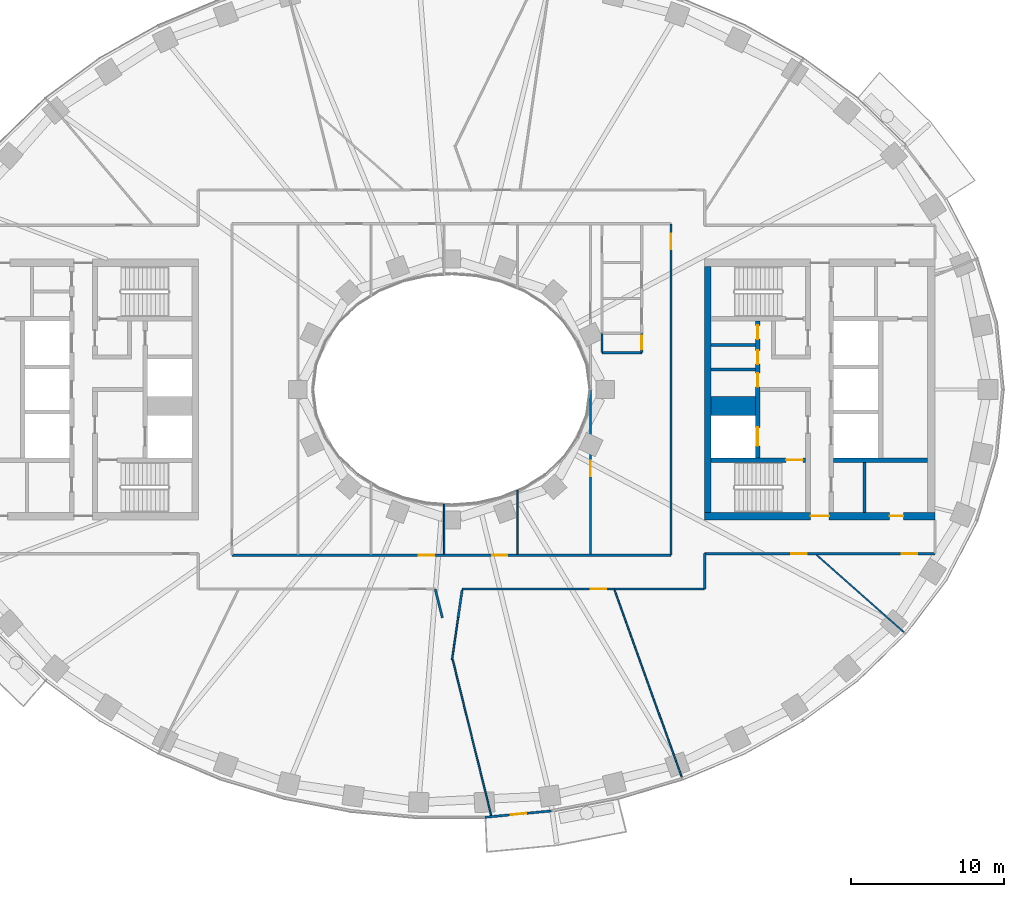
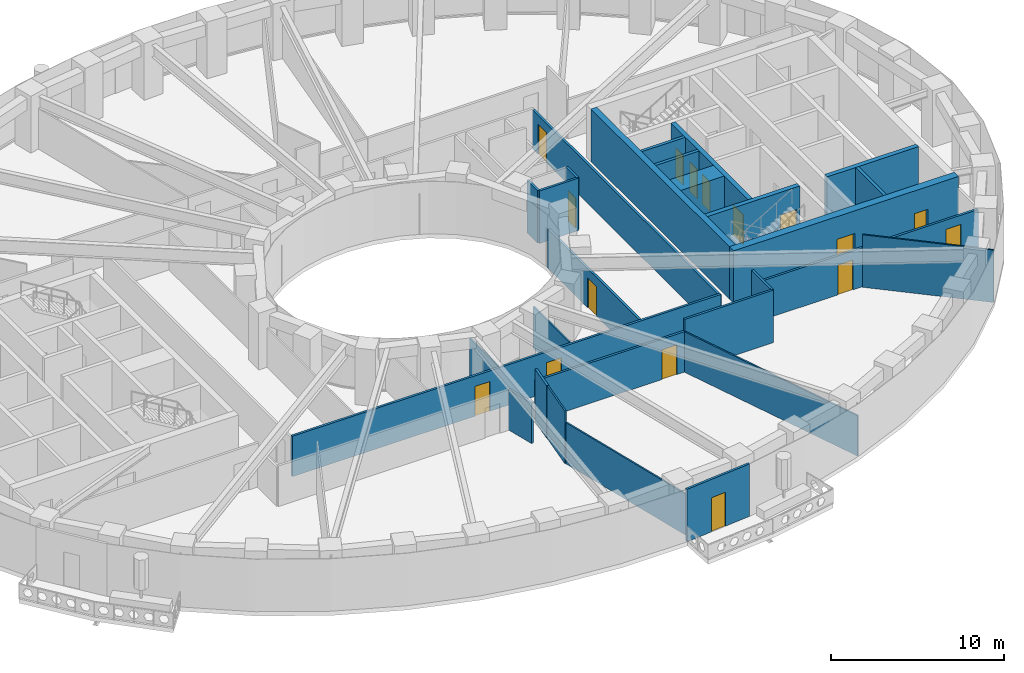
# One storey, part 4 of 16: 28 walls, 16 doors, 16 openings.
"""IFC4 building model written with IfcOpenShell, lengths in metres."""

from ifc_helpers import new_model, si_unit, direction, frame, frame_2d, origin, place, context, subcontext, project, spatial, rectangle, extrude, material, layer, layer_set, type_object, element, fill, save


model = new_model("IFC4")

# Units and contexts
model_context = context("Model", 3, precision=1e-05, world=origin(), true_north=direction((0.0, 1.0)))
body_context = subcontext(model_context, "Body", "Model", "MODEL_VIEW")
ifc_project = project(units=[si_unit("LENGTHUNIT", "METRE"), si_unit("AREAUNIT", "SQUARE_METRE"), si_unit("VOLUMEUNIT", "CUBIC_METRE"), si_unit("PLANEANGLEUNIT", "RADIAN"), si_unit("MASSUNIT", "GRAM", prefix="KILO")], contexts=[model_context])

# Site, building, storey
site_placement = place(None, origin())
site = spatial("IfcSite", under=ifc_project, at=site_placement, CompositionType="ELEMENT")
building_placement = place(site_placement, origin())
building = spatial("IfcBuilding", under=site, at=building_placement, Name="Noorbagh Ring Tower", CompositionType="ELEMENT")
storey_placement = place(building_placement, frame((0.0, 0.0, 108.0)))
storey = spatial("IfcBuildingStorey", under=building, at=storey_placement, Name="L24", CompositionType="ELEMENT", Elevation=108.0)

# Walls
ifc_material_1 = material(Name="Gypsum board on steel studs", Category="steel")
ifc_layer_1 = layer(ifc_material_1, 0.14990234375)
ifc_layer_set_1 = layer_set([ifc_layer_1], Name="Gypsum board on steel studs")
wall_type_1 = type_object("IfcWallType", Name="COMPARTMENT PARTITION 150 EI 60", PredefinedType="PARTITIONING", material=ifc_layer_set_1)
wall_1_placement = place(storey_placement, frame((9.800048828125, 2.404052734375, 0.0), z_axis=(0.0, 0.0, 1.0), x_axis=(0.0, 1.0, 0.0)))
element("IfcWall", 1, at=wall_1_placement, inside=storey, type_object=wall_type_1, Name="L24/wall/P39", PredefinedType="PARTITIONING", context=body_context, shape_type="SweptSolid", body=[
    extrude(rectangle(XDim=1.255859375, YDim=0.14990234375, at=frame_2d((0.6279296875, 0.0))), origin(), (0.0, 0.0, 1.0), 3.699951171875),
])
wall_2_placement = place(storey_placement, frame((9.803955078125, 2.39990234375, 0.0), z_axis=(0.0, 0.0, 1.0), x_axis=(1.0, 0.0, 0.0)))
element("IfcWall", 2, at=wall_2_placement, inside=storey, type_object=wall_type_1, Name="L24/wall/P44", PredefinedType="PARTITIONING", context=body_context, shape_type="SweptSolid", body=[
    extrude(rectangle(XDim=2.595947265625, YDim=0.14990234375, at=frame_2d((1.2978515625, 0.0))), origin(), (0.0, 0.0, 1.0), 3.699951171875),
])

# Wall, opening, door
wall_3_placement = place(storey_placement, frame((12.39990234375, 2.39990234375, 0.0), z_axis=(0.0, 0.0, 1.0), x_axis=(0.0, 1.0, 0.0)))
wall_3 = element("IfcWall", 3, at=wall_3_placement, inside=storey, type_object=wall_type_1, Name="L24/wall/P47", PredefinedType="PARTITIONING", context=body_context, shape_type="SweptSolid", body=[
    extrude(rectangle(XDim=1.260009765625, YDim=0.14990234375, at=frame_2d((0.6298828125, 0.0))), origin(), (0.0, 0.0, 1.0), 3.699951171875),
])
opening_1_placement = place(wall_3_placement, frame((0.2099609375, 0.0, 0.0)))
opening_1 = element("IfcOpeningElement", 4, at=opening_1_placement, cuts=wall_3, Name="Opening D4", PredefinedType="OPENING", context=body_context, shape_type="SweptSolid", body=[
    extrude(rectangle(XDim=0.89990234375, YDim=2.10009765625, at=frame_2d((0.449951171875, 1.050048828125))), frame((0.0, 0.0849609375, 0.0), z_axis=(0.0, -1.0, 0.0), x_axis=(1.0, 0.0, 0.0)), (0.0, 0.0, 1.0), 0.169921875),
])
ifc_material_2 = material(Name="Timber, painted", Category="wood")
door_type_1 = type_object("IfcDoorType", Name="DOOR 900 X 2100 FD60", OperationType="SINGLE_SWING_LEFT", PredefinedType="DOOR", material=ifc_material_2)
door_1_placement = place(opening_1_placement, origin())
door_1 = element("IfcDoor", 5, at=door_1_placement, inside=storey, type_object=door_type_1, Name="L24-D05", OperationType="SINGLE_SWING_LEFT", OverallHeight=2.10009765625, OverallWidth=0.89990234375, PredefinedType="DOOR", context=body_context, shape_type="SweptSolid", body=[
    extrude(rectangle(XDim=0.89990234375, YDim=2.10009765625, at=frame_2d((0.449951171875, 1.050048828125))), frame((0.0, 0.02490234375, 0.0), z_axis=(0.0, -1.0, 0.0), x_axis=(1.0, 0.0, 0.0)), (0.0, 0.0, 1.0), 0.050048828125),
])
fill(opening_1, door_1)

# Walls
ifc_material_3 = material(Name="Gypsum board on steel studs", Category="steel")
ifc_layer_2 = layer(ifc_material_3, 0.199951171875)
ifc_layer_set_2 = layer_set([ifc_layer_2], Name="Gypsum board on steel studs")
wall_type_2 = type_object("IfcWallType", Name="CORE-PARTITION-200", PredefinedType="PARTITIONING", material=ifc_layer_set_2)
for number, where, z_axis, x_axis, name in (
    (6, (16.89990234375, 1.300048828125, 0.0), (0.0, 0.0, 1.0), (1.0, 0.0, 0.0), "Core partition E"),
    (7, (16.89990234375, 2.89990234375, 0.0), (0.0, 0.0, 1.0), (1.0, 0.0, 0.0), "Core partition E"),
):
    element("IfcWall", number, at=place(storey_placement, frame(where, z_axis=z_axis, x_axis=x_axis)), inside=storey, type_object=wall_type_2, Name=name, PredefinedType="PARTITIONING", context=body_context, shape_type="SweptSolid", body=[
        extrude(rectangle(XDim=2.900146484375, YDim=0.199951171875, at=frame_2d((1.4501953125, 0.0))), origin(), (0.0, 0.0, 1.0), 3.699951171875),
    ])
wall_4_placement = place(storey_placement, frame((26.89990234375, -8.0, 0.0), z_axis=(0.0, 0.0, 1.0), x_axis=(0.0, 1.0, 0.0)))
element("IfcWall", 8, at=wall_4_placement, inside=storey, type_object=wall_type_2, Name="Core partition E", PredefinedType="PARTITIONING", context=body_context, shape_type="SweptSolid", body=[
    extrude(rectangle(XDim=3.25, YDim=0.199951171875, at=frame_2d((1.625, 0.0))), origin(), (0.0, 0.0, 1.0), 3.699951171875),
])
ifc_material_4 = material(Name="Concrete C70/85", Category="concrete")
ifc_layer_3 = layer(ifc_material_4, 1.25)
ifc_layer_set_3 = layer_set([ifc_layer_3], Name="Concrete C70/85")
wall_type_3 = type_object("IfcWallType", Name="CORE-WALL-1250-C70-85-EI120", PredefinedType="SHEAR", material=ifc_layer_set_3)
wall_5_placement = place(storey_placement, frame((16.89990234375, -1.074951171875, 0.0), z_axis=(0.0, 0.0, 1.0), x_axis=(1.0, 0.0, 0.0)))
element("IfcWall", 9, at=wall_5_placement, inside=storey, type_object=wall_type_3, Name="Core wall E", PredefinedType="SHEAR", context=body_context, shape_type="SweptSolid", body=[
    extrude(rectangle(XDim=2.900146484375, YDim=1.25, at=frame_2d((1.4501953125, 0.0))), origin(), (0.0, 0.0, 1.0), 3.699951171875),
])

# Wall, openings, doors
ifc_material_5 = material(Name="Concrete C70/85", Category="concrete")
ifc_layer_4 = layer(ifc_material_5, 0.300048828125)
ifc_layer_set_4 = layer_set([ifc_layer_4], Name="Concrete C70/85")
wall_type_4 = type_object("IfcWallType", Name="CORE-WALL-300-C70-85-EI120", PredefinedType="SHEAR", material=ifc_layer_set_4)
wall_6_placement = place(storey_placement, frame((19.949951171875, -4.449951171875, 0.0), z_axis=(0.0, 0.0, 1.0), x_axis=(0.0, 1.0, 0.0)))
wall_6 = element("IfcWall", 10, at=wall_6_placement, inside=storey, type_object=wall_type_4, Name="Core wall E", PredefinedType="SHEAR", context=body_context, shape_type="SweptSolid", body=[
    extrude(rectangle(XDim=8.89990234375, YDim=0.300048828125, at=frame_2d((4.449951171875, 0.0))), origin(), (0.0, 0.0, 1.0), 3.699951171875),
])
opening_2_placement = place(wall_6_placement, frame((0.77490234375, 0.0, 0.0)))
opening_2 = element("IfcOpeningElement", 11, at=opening_2_placement, cuts=wall_6, Name="Opening L24-CE01", PredefinedType="OPENING", context=body_context, shape_type="SweptSolid", body=[
    extrude(rectangle(XDim=1.199951171875, YDim=2.10009765625, at=frame_2d((0.60009765625, 1.050048828125))), frame((0.0, 0.16015625, 0.0), z_axis=(0.0, -1.0, 0.0), x_axis=(1.0, 0.0, 0.0)), (0.0, 0.0, 1.0), 0.320068359375),
])
opening_3_placement = place(wall_6_placement, frame((4.6201171875, 0.0, 0.0)))
opening_3 = element("IfcOpeningElement", 12, at=opening_3_placement, cuts=wall_6, Name="Opening L24-CE11", PredefinedType="OPENING", context=body_context, shape_type="SweptSolid", body=[
    extrude(rectangle(XDim=0.89990234375, YDim=2.10009765625, at=frame_2d((0.449951171875, 1.050048828125))), frame((0.0, 0.16015625, 0.0), z_axis=(0.0, -1.0, 0.0), x_axis=(1.0, 0.0, 0.0)), (0.0, 0.0, 1.0), 0.320068359375),
])
opening_4_placement = place(wall_6_placement, frame((6.10009765625, 0.0, 0.0)))
opening_4 = element("IfcOpeningElement", 13, at=opening_4_placement, cuts=wall_6, Name="Opening L24-CE12", PredefinedType="OPENING", context=body_context, shape_type="SweptSolid", body=[
    extrude(rectangle(XDim=0.89990234375, YDim=2.10009765625, at=frame_2d((0.449951171875, 1.050048828125))), frame((0.0, 0.16015625, 0.0), z_axis=(0.0, -1.0, 0.0), x_axis=(1.0, 0.0, 0.0)), (0.0, 0.0, 1.0), 0.320068359375),
])
opening_5_placement = place(wall_6_placement, frame((7.72509765625, 0.0, 0.0)))
opening_5 = element("IfcOpeningElement", 14, at=opening_5_placement, cuts=wall_6, Name="Opening L24-CE13", PredefinedType="OPENING", context=body_context, shape_type="SweptSolid", body=[
    extrude(rectangle(XDim=0.89990234375, YDim=2.10009765625, at=frame_2d((0.449951171875, 1.050048828125))), frame((0.0, 0.16015625, 0.0), z_axis=(0.0, -1.0, 0.0), x_axis=(1.0, 0.0, 0.0)), (0.0, 0.0, 1.0), 0.320068359375),
])
ifc_material_6 = material(Name="Steel door leaf", Category="steel")
door_type_2 = type_object("IfcDoorType", Name="CORE-DOOR-DROOM", OperationType="SINGLE_SWING_LEFT", PredefinedType="DOOR", material=ifc_material_6)
door_2_placement = place(opening_3_placement, origin())
door_2 = element("IfcDoor", 15, at=door_2_placement, inside=storey, type_object=door_type_2, Name="Core room door L24-CE11", OperationType="SINGLE_SWING_LEFT", OverallHeight=2.10009765625, OverallWidth=0.89990234375, PredefinedType="DOOR", context=body_context, shape_type="SweptSolid", body=[
    extrude(rectangle(XDim=0.89990234375, YDim=2.10009765625, at=frame_2d((0.449951171875, 1.050048828125))), frame((0.0, 0.02490234375, 0.0), z_axis=(0.0, -1.0, 0.0), x_axis=(1.0, 0.0, 0.0)), (0.0, 0.0, 1.0), 0.050048828125),
])
fill(opening_3, door_2)
door_3_placement = place(opening_4_placement, origin())
door_3 = element("IfcDoor", 16, at=door_3_placement, inside=storey, type_object=door_type_2, Name="Core room door L24-CE12", OperationType="SINGLE_SWING_RIGHT", OverallHeight=2.10009765625, OverallWidth=0.89990234375, PredefinedType="DOOR", context=body_context, shape_type="SweptSolid", body=[
    extrude(rectangle(XDim=0.89990234375, YDim=2.10009765625, at=frame_2d((0.449951171875, 1.050048828125))), frame((0.0, 0.02490234375, 0.0), z_axis=(0.0, -1.0, 0.0), x_axis=(1.0, 0.0, 0.0)), (0.0, 0.0, 1.0), 0.050048828125),
])
fill(opening_4, door_3)
door_4_placement = place(opening_5_placement, origin())
door_4 = element("IfcDoor", 17, at=door_4_placement, inside=storey, type_object=door_type_2, Name="Core room door L24-CE13", OperationType="SINGLE_SWING_RIGHT", OverallHeight=2.10009765625, OverallWidth=0.89990234375, PredefinedType="DOOR", context=body_context, shape_type="SweptSolid", body=[
    extrude(rectangle(XDim=0.89990234375, YDim=2.10009765625, at=frame_2d((0.449951171875, 1.050048828125))), frame((0.0, 0.02490234375, 0.0), z_axis=(0.0, -1.0, 0.0), x_axis=(1.0, 0.0, 0.0)), (0.0, 0.0, 1.0), 0.050048828125),
])
fill(opening_5, door_4)
ifc_material_7 = material(Name="Steel door leaf", Category="steel")
door_type_3 = type_object("IfcDoorType", Name="CORE-DOOR-LDW", OperationType="DOUBLE_DOOR_SLIDING", PredefinedType="DOOR", material=ifc_material_7)
door_5_placement = place(opening_2_placement, origin())
door_5 = element("IfcDoor", 18, at=door_5_placement, inside=storey, type_object=door_type_3, Name="Landing door FF2 L24-CE01", OperationType="DOUBLE_DOOR_SLIDING", OverallHeight=2.10009765625, OverallWidth=1.199951171875, PredefinedType="DOOR", context=body_context, shape_type="SweptSolid", body=[
    extrude(rectangle(XDim=1.199951171875, YDim=2.10009765625, at=frame_2d((0.60009765625, 1.050048828125))), frame((0.0, 0.02490234375, 0.0), z_axis=(0.0, -1.0, 0.0), x_axis=(1.0, 0.0, 0.0)), (0.0, 0.0, 1.0), 0.050048828125),
])
fill(opening_2, door_5)

# Wall
ifc_material_8 = material(Name="Concrete C70/85", Category="concrete")
ifc_layer_5 = layer(ifc_material_8, 0.300048828125)
ifc_layer_set_5 = layer_set([ifc_layer_5], Name="Concrete C70/85")
wall_type_5 = type_object("IfcWallType", Name="CORE-WALL-300-C70-85-EI240", PredefinedType="SHEAR", material=ifc_layer_set_5)
wall_7_placement = place(storey_placement, frame((24.89990234375, -4.60009765625, 0.0), z_axis=(0.0, 0.0, 1.0), x_axis=(1.0, 0.0, 0.0)))
element("IfcWall", 19, at=wall_7_placement, inside=storey, type_object=wall_type_5, Name="Core wall E", PredefinedType="SHEAR", context=body_context, shape_type="SweptSolid", body=[
    extrude(rectangle(XDim=6.10009765625, YDim=0.300048828125, at=frame_2d((3.050048828125, 0.0))), origin(), (0.0, 0.0, 1.0), 3.699951171875),
])

# Wall, opening, door
wall_8_placement = place(storey_placement, frame((16.89990234375, -4.60009765625, 0.0), z_axis=(0.0, 0.0, 1.0), x_axis=(1.0, 0.0, 0.0)))
wall_8 = element("IfcWall", 20, at=wall_8_placement, inside=storey, type_object=wall_type_5, Name="Core wall E", PredefinedType="SHEAR", context=body_context, shape_type="SweptSolid", body=[
    extrude(rectangle(XDim=6.18017578125, YDim=0.300048828125, at=frame_2d((3.090087890625, 0.0))), origin(), (0.0, 0.0, 1.0), 3.699951171875),
])
opening_6_placement = place(wall_8_placement, frame((4.89990234375, 0.0, 0.0)))
opening_6 = element("IfcOpeningElement", 21, at=opening_6_placement, cuts=wall_8, Name="Opening L24-CE06", PredefinedType="OPENING", context=body_context, shape_type="SweptSolid", body=[
    extrude(rectangle(XDim=1.10009765625, YDim=2.10009765625, at=frame_2d((0.550048828125, 1.050048828125))), frame((0.0, 0.16015625, 0.0), z_axis=(0.0, -1.0, 0.0), x_axis=(1.0, 0.0, 0.0)), (0.0, 0.0, 1.0), 0.320068359375),
])
ifc_material_9 = material(Name="Steel door leaf", Category="steel")
door_type_4 = type_object("IfcDoorType", Name="CORE-DOOR-DSTAIR", OperationType="SINGLE_SWING_LEFT", PredefinedType="DOOR", material=ifc_material_9)
door_6_placement = place(opening_6_placement, origin())
door_6 = element("IfcDoor", 22, at=door_6_placement, inside=storey, type_object=door_type_4, Name="Stair door ST4 L24-CE06", OperationType="SINGLE_SWING_RIGHT", OverallHeight=2.10009765625, OverallWidth=1.10009765625, PredefinedType="DOOR", context=body_context, shape_type="SweptSolid", body=[
    extrude(rectangle(XDim=1.10009765625, YDim=2.10009765625, at=frame_2d((0.550048828125, 1.050048828125))), frame((0.0, 0.02490234375, 0.0), z_axis=(0.0, -1.0, 0.0), x_axis=(1.0, 0.0, 0.0)), (0.0, 0.0, 1.0), 0.050048828125),
])
fill(opening_6, door_6)

# Wall
ifc_material_10 = material(Name="Concrete C70/85", Category="concrete")
ifc_layer_6 = layer(ifc_material_10, 0.39990234375)
ifc_layer_set_6 = layer_set([ifc_layer_6], Name="Concrete C70/85")
wall_type_6 = type_object("IfcWallType", Name="CORE-WALL-400-C70-85-EI240", PredefinedType="SHEAR", material=ifc_layer_set_6)
wall_9_placement = place(storey_placement, frame((16.699951171875, -8.0, 0.0), z_axis=(0.0, 0.0, 1.0), x_axis=(0.0, 1.0, 0.0)))
element("IfcWall", 23, at=wall_9_placement, inside=storey, type_object=wall_type_6, Name="Core wall E", PredefinedType="SHEAR", context=body_context, shape_type="SweptSolid", body=[
    extrude(rectangle(XDim=16.0, YDim=0.39990234375, at=frame_2d((8.0, 0.0))), origin(), (0.0, 0.0, 1.0), 3.699951171875),
])

# Wall, openings, doors
ifc_material_11 = material(Name="Concrete C70/85", Category="concrete")
ifc_layer_7 = layer(ifc_material_11, 0.5)
ifc_layer_set_7 = layer_set([ifc_layer_7], Name="Concrete C70/85")
wall_type_7 = type_object("IfcWallType", Name="CORE-WALL-500-C70-85-EI240", PredefinedType="SHEAR", material=ifc_layer_set_7)
wall_10_placement = place(storey_placement, frame((16.5, -8.25, 0.0), z_axis=(0.0, 0.0, 1.0), x_axis=(1.0, 0.0, 0.0)))
wall_10 = element("IfcWall", 24, at=wall_10_placement, inside=storey, type_object=wall_type_7, Name="Core wall E", PredefinedType="SHEAR", context=body_context, shape_type="SweptSolid", body=[
    extrude(rectangle(XDim=15.0, YDim=0.5, at=frame_2d((7.5, 0.0))), origin(), (0.0, 0.0, 1.0), 3.699951171875),
])
opening_7_placement = place(wall_10_placement, frame((6.89990234375, 0.0, 0.0)))
opening_7 = element("IfcOpeningElement", 25, at=opening_7_placement, cuts=wall_10, Name="Opening L24-CE10", PredefinedType="OPENING", context=body_context, shape_type="SweptSolid", body=[
    extrude(rectangle(XDim=1.199951171875, YDim=2.10009765625, at=frame_2d((0.60009765625, 1.050048828125))), frame((0.0, 0.260009765625, 0.0), z_axis=(0.0, -1.0, 0.0), x_axis=(1.0, 0.0, 0.0)), (0.0, 0.0, 1.0), 0.52001953125),
])
opening_8_placement = place(wall_10_placement, frame((12.050048828125, 0.0, 0.0)))
opening_8 = element("IfcOpeningElement", 26, at=opening_8_placement, cuts=wall_10, Name="Opening L24-CE17", PredefinedType="OPENING", context=body_context, shape_type="SweptSolid", body=[
    extrude(rectangle(XDim=0.89990234375, YDim=2.10009765625, at=frame_2d((0.449951171875, 1.050048828125))), frame((0.0, 0.260009765625, 0.0), z_axis=(0.0, -1.0, 0.0), x_axis=(1.0, 0.0, 0.0)), (0.0, 0.0, 1.0), 0.52001953125),
])
door_7_placement = place(opening_8_placement, origin())
door_7 = element("IfcDoor", 27, at=door_7_placement, inside=storey, type_object=door_type_2, Name="Core room door L24-CE17", OperationType="SINGLE_SWING_RIGHT", OverallHeight=2.10009765625, OverallWidth=0.89990234375, PredefinedType="DOOR", context=body_context, shape_type="SweptSolid", body=[
    extrude(rectangle(XDim=0.89990234375, YDim=2.10009765625, at=frame_2d((0.449951171875, 1.050048828125))), frame((0.0, 0.02490234375, 0.0), z_axis=(0.0, -1.0, 0.0), x_axis=(1.0, 0.0, 0.0)), (0.0, 0.0, 1.0), 0.050048828125),
])
fill(opening_8, door_7)
ifc_material_12 = material(Name="Steel door leaf", Category="steel")
door_type_5 = type_object("IfcDoorType", Name="CORE-DOOR-PORT", OperationType="DOUBLE_DOOR_DOUBLE_SWING", PredefinedType="DOOR", material=ifc_material_12)
door_8_placement = place(opening_7_placement, origin())
door_8 = element("IfcDoor", 28, at=door_8_placement, inside=storey, type_object=door_type_5, Name="Core entrance door L24-CE10", OperationType="DOUBLE_DOOR_DOUBLE_SWING", OverallHeight=2.10009765625, OverallWidth=1.199951171875, PredefinedType="DOOR", context=body_context, shape_type="SweptSolid", body=[
    extrude(rectangle(XDim=1.199951171875, YDim=2.10009765625, at=frame_2d((0.60009765625, 1.050048828125))), frame((0.0, 0.02490234375, 0.0), z_axis=(0.0, -1.0, 0.0), x_axis=(1.0, 0.0, 0.0)), (0.0, 0.0, 1.0), 0.050048828125),
])
fill(opening_7, door_8)

ifc_material_13 = material(Name="Gypsum board on steel studs", Category="steel")
ifc_layer_8 = layer(ifc_material_13, 0.14990234375)
ifc_layer_set_8 = layer_set([ifc_layer_8], Name="Gypsum board on steel studs")
wall_type_8 = type_object("IfcWallType", Name="CORRIDOR PARTITION 150 EI 30", PredefinedType="PARTITIONING", material=ifc_layer_set_8)
wall_11_placement = place(storey_placement, frame((-14.300048828125, -10.800048828125, 0.0), z_axis=(0.0, 0.0, 1.0), x_axis=(1.0, 0.0, 0.0)))
wall_11 = element("IfcWall", 29, at=wall_11_placement, inside=storey, type_object=wall_type_8, Name="L24/wall/P14", PredefinedType="PARTITIONING", context=body_context, shape_type="SweptSolid", body=[
    extrude(rectangle(XDim=28.60009765625, YDim=0.14990234375, at=frame_2d((14.300048828125, 0.0))), origin(), (0.0, 0.0, 1.0), 2.85009765625),
])
opening_9_placement = place(wall_11_placement, frame((12.173095703125, 0.0, 0.0)))
opening_9 = element("IfcOpeningElement", 30, at=opening_9_placement, cuts=wall_11, Name="Opening D1", PredefinedType="OPENING", context=body_context, shape_type="SweptSolid", body=[
    extrude(rectangle(XDim=1.0, YDim=2.10009765625, at=frame_2d((0.5, 1.050048828125))), frame((0.0, 0.0849609375, 0.0), z_axis=(0.0, -1.0, 0.0), x_axis=(1.0, 0.0, 0.0)), (0.0, 0.0, 1.0), 0.169921875),
])
opening_10_placement = place(wall_11_placement, frame((16.93994140625, 0.0, 0.0)))
opening_10 = element("IfcOpeningElement", 31, at=opening_10_placement, cuts=wall_11, Name="Opening D1", PredefinedType="OPENING", context=body_context, shape_type="SweptSolid", body=[
    extrude(rectangle(XDim=1.0, YDim=2.10009765625, at=frame_2d((0.5, 1.050048828125))), frame((0.0, 0.0849609375, 0.0), z_axis=(0.0, -1.0, 0.0), x_axis=(1.0, 0.0, 0.0)), (0.0, 0.0, 1.0), 0.169921875),
])
ifc_material_14 = material(Name="Timber, painted", Category="wood")
door_type_6 = type_object("IfcDoorType", Name="DOOR 1000 X 2100 FD30", OperationType="SINGLE_SWING_LEFT", PredefinedType="DOOR", material=ifc_material_14)
door_9_placement = place(opening_9_placement, origin())
door_9 = element("IfcDoor", 32, at=door_9_placement, inside=storey, type_object=door_type_6, Name="L24-D21", OperationType="SINGLE_SWING_LEFT", OverallHeight=2.10009765625, OverallWidth=1.0, PredefinedType="DOOR", context=body_context, shape_type="SweptSolid", body=[
    extrude(rectangle(XDim=1.0, YDim=2.10009765625, at=frame_2d((0.5, 1.050048828125))), frame((0.0, 0.02490234375, 0.0), z_axis=(0.0, -1.0, 0.0), x_axis=(1.0, 0.0, 0.0)), (0.0, 0.0, 1.0), 0.050048828125),
])
fill(opening_9, door_9)
door_10_placement = place(opening_10_placement, origin())
door_10 = element("IfcDoor", 33, at=door_10_placement, inside=storey, type_object=door_type_6, Name="L24-D23", OperationType="SINGLE_SWING_LEFT", OverallHeight=2.10009765625, OverallWidth=1.0, PredefinedType="DOOR", context=body_context, shape_type="SweptSolid", body=[
    extrude(rectangle(XDim=1.0, YDim=2.10009765625, at=frame_2d((0.5, 1.050048828125))), frame((0.0, 0.02490234375, 0.0), z_axis=(0.0, -1.0, 0.0), x_axis=(1.0, 0.0, 0.0)), (0.0, 0.0, 1.0), 0.050048828125),
])
fill(opening_10, door_10)

# Walls
wall_12_placement = place(storey_placement, frame((-1.06103515625, -13.0, 0.0), z_axis=(0.0, 0.0, 1.0), x_axis=(0.240039134513, -0.970763212067, 0.0)))
element("IfcWall", 34, at=wall_12_placement, inside=storey, type_object=wall_type_8, Name="L24/wall/P22", PredefinedType="PARTITIONING", context=body_context, shape_type="SweptSolid", body=[
    extrude(rectangle(XDim=1.93359375, YDim=0.14990234375, at=frame_2d((0.966796875, 0.0))), origin(), (0.0, 0.0, 1.0), 2.85009765625),
])
wall_13_placement = place(storey_placement, frame((0.429931640625, -14.864013671875, 0.0), z_axis=(0.0, 0.0, 1.0), x_axis=(0.143488136145, 0.989652037226, 0.0)))
element("IfcWall", 35, at=wall_13_placement, inside=storey, type_object=wall_type_8, Name="L24/wall/P30", PredefinedType="PARTITIONING", context=body_context, shape_type="SweptSolid", body=[
    extrude(rectangle(XDim=1.81884765625, YDim=0.14990234375, at=frame_2d((0.909423828125, 0.0))), origin(), (0.0, 0.0, 1.0), 3.699951171875),
])

# Wall, opening, door
wall_14_placement = place(storey_placement, frame((0.679931640625, -13.0, 0.0), z_axis=(0.0, 0.0, 1.0), x_axis=(1.0, 0.0, 0.0)))
wall_14 = element("IfcWall", 36, at=wall_14_placement, inside=storey, type_object=wall_type_8, Name="L24/wall/P31", PredefinedType="PARTITIONING", context=body_context, shape_type="SweptSolid", body=[
    extrude(rectangle(XDim=9.968017578125, YDim=0.14990234375, at=frame_2d((4.98388671875, 0.0))), origin(), (0.0, 0.0, 1.0), 2.85009765625),
])
opening_11_placement = place(wall_14_placement, frame((8.39990234375, 0.0, 0.0)))
opening_11 = element("IfcOpeningElement", 37, at=opening_11_placement, cuts=wall_14, Name="Opening D1", PredefinedType="OPENING", context=body_context, shape_type="SweptSolid", body=[
    extrude(rectangle(XDim=1.0, YDim=2.10009765625, at=frame_2d((0.5, 1.050048828125))), frame((0.0, 0.0849609375, 0.0), z_axis=(0.0, -1.0, 0.0), x_axis=(1.0, 0.0, 0.0)), (0.0, 0.0, 1.0), 0.169921875),
])
door_11_placement = place(opening_11_placement, origin())
door_11 = element("IfcDoor", 38, at=door_11_placement, inside=storey, type_object=door_type_6, Name="L24-D14", OperationType="SINGLE_SWING_RIGHT", OverallHeight=2.10009765625, OverallWidth=1.0, PredefinedType="DOOR", context=body_context, shape_type="SweptSolid", body=[
    extrude(rectangle(XDim=1.0, YDim=2.10009765625, at=frame_2d((0.5, 1.050048828125))), frame((0.0, 0.02490234375, 0.0), z_axis=(0.0, -1.0, 0.0), x_axis=(1.0, 0.0, 0.0)), (0.0, 0.0, 1.0), 0.050048828125),
])
fill(opening_11, door_11)

wall_15_placement = place(storey_placement, frame((9.056884765625, -10.72509765625, 0.0), z_axis=(0.0, 0.0, 1.0), x_axis=(0.0, 1.0, 0.0)))
wall_15 = element("IfcWall", 39, at=wall_15_placement, inside=storey, type_object=wall_type_8, Name="L24/wall/P37", PredefinedType="PARTITIONING", context=body_context, shape_type="SweptSolid", body=[
    extrude(rectangle(XDim=10.68017578125, YDim=0.14990234375, at=frame_2d((5.340087890625, 0.0))), origin(), (0.0, 0.0, 1.0), 2.75),
])
opening_12_placement = place(wall_15_placement, frame((5.070068359375, 0.0, 0.0)))
opening_12 = element("IfcOpeningElement", 40, at=opening_12_placement, cuts=wall_15, Name="Opening D1", PredefinedType="OPENING", context=body_context, shape_type="SweptSolid", body=[
    extrude(rectangle(XDim=1.0, YDim=2.10009765625, at=frame_2d((0.5, 1.050048828125))), frame((0.0, 0.0849609375, 0.0), z_axis=(0.0, -1.0, 0.0), x_axis=(1.0, 0.0, 0.0)), (0.0, 0.0, 1.0), 0.169921875),
])
door_12_placement = place(opening_12_placement, origin())
door_12 = element("IfcDoor", 41, at=door_12_placement, inside=storey, type_object=door_type_6, Name="L24-D25", OperationType="SINGLE_SWING_LEFT", OverallHeight=2.10009765625, OverallWidth=1.0, PredefinedType="DOOR", context=body_context, shape_type="SweptSolid", body=[
    extrude(rectangle(XDim=1.0, YDim=2.10009765625, at=frame_2d((0.5, 1.050048828125))), frame((0.0, 0.02490234375, 0.0), z_axis=(0.0, -1.0, 0.0), x_axis=(1.0, 0.0, 0.0)), (0.0, 0.0, 1.0), 0.050048828125),
])
fill(opening_12, door_12)

# Wall
wall_16_placement = place(storey_placement, frame((10.60693359375, -13.0, 0.0), z_axis=(0.0, 0.0, 1.0), x_axis=(1.0, 0.0, 0.0)))
element("IfcWall", 42, at=wall_16_placement, inside=storey, type_object=wall_type_8, Name="L24/wall/P46", PredefinedType="PARTITIONING", context=body_context, shape_type="SweptSolid", body=[
    extrude(rectangle(XDim=5.89306640625, YDim=0.14990234375, at=frame_2d((2.946533203125, 0.0))), origin(), (0.0, 0.0, 1.0), 3.699951171875),
])

# Wall, opening, door
wall_17_placement = place(storey_placement, frame((14.300048828125, -10.800048828125, 0.0), z_axis=(0.0, 0.0, 1.0), x_axis=(0.0, 1.0, 0.0)))
wall_17 = element("IfcWall", 43, at=wall_17_placement, inside=storey, type_object=wall_type_8, Name="L24/wall/P49", PredefinedType="PARTITIONING", context=body_context, shape_type="SweptSolid", body=[
    extrude(rectangle(XDim=21.60009765625, YDim=0.14990234375, at=frame_2d((10.800048828125, 0.0))), origin(), (0.0, 0.0, 1.0), 2.75),
])
opening_13_placement = place(wall_17_placement, frame((19.949951171875, 0.0, 0.0)))
opening_13 = element("IfcOpeningElement", 44, at=opening_13_placement, cuts=wall_17, Name="Opening D1", PredefinedType="OPENING", context=body_context, shape_type="SweptSolid", body=[
    extrude(rectangle(XDim=1.0, YDim=2.10009765625, at=frame_2d((0.5, 1.050048828125))), frame((0.0, 0.0849609375, 0.0), z_axis=(0.0, -1.0, 0.0), x_axis=(1.0, 0.0, 0.0)), (0.0, 0.0, 1.0), 0.169921875),
])
door_13_placement = place(opening_13_placement, origin())
door_13 = element("IfcDoor", 45, at=door_13_placement, inside=storey, type_object=door_type_6, Name="L24-D01", OperationType="SINGLE_SWING_LEFT", OverallHeight=2.10009765625, OverallWidth=1.0, PredefinedType="DOOR", context=body_context, shape_type="SweptSolid", body=[
    extrude(rectangle(XDim=1.0, YDim=2.10009765625, at=frame_2d((0.5, 1.050048828125))), frame((0.0, 0.02490234375, 0.0), z_axis=(0.0, -1.0, 0.0), x_axis=(1.0, 0.0, 0.0)), (0.0, 0.0, 1.0), 0.050048828125),
])
fill(opening_13, door_13)

# Wall
wall_18_placement = place(storey_placement, frame((16.5, -13.0, 0.0), z_axis=(0.0, 0.0, 1.0), x_axis=(0.0, 1.0, 0.0)))
element("IfcWall", 46, at=wall_18_placement, inside=storey, type_object=wall_type_8, Name="L24/wall/P50", PredefinedType="PARTITIONING", context=body_context, shape_type="SweptSolid", body=[
    extrude(rectangle(XDim=2.300048828125, YDim=0.14990234375, at=frame_2d((1.14990234375, 0.0))), origin(), (0.0, 0.0, 1.0), 3.699951171875),
])

# Wall, openings, doors
wall_19_placement = place(storey_placement, frame((16.5, -10.699951171875, 0.0), z_axis=(0.0, 0.0, 1.0), x_axis=(1.0, 0.0, 0.0)))
wall_19 = element("IfcWall", 47, at=wall_19_placement, inside=storey, type_object=wall_type_8, Name="L24/wall/P51", PredefinedType="PARTITIONING", context=body_context, shape_type="SweptSolid", body=[
    extrude(rectangle(XDim=15.0, YDim=0.14990234375, at=frame_2d((7.5, 0.0))), origin(), (0.0, 0.0, 1.0), 2.75),
])
opening_14_placement = place(wall_19_placement, frame((5.64990234375, 0.0, 0.0)))
opening_14 = element("IfcOpeningElement", 48, at=opening_14_placement, cuts=wall_19, Name="Opening D1", PredefinedType="OPENING", context=body_context, shape_type="SweptSolid", body=[
    extrude(rectangle(XDim=1.0, YDim=2.10009765625, at=frame_2d((0.5, 1.050048828125))), frame((0.0, 0.0849609375, 0.0), z_axis=(0.0, -1.0, 0.0), x_axis=(1.0, 0.0, 0.0)), (0.0, 0.0, 1.0), 0.169921875),
])
opening_15_placement = place(wall_19_placement, frame((12.846923828125, 0.0, 0.0)))
opening_15 = element("IfcOpeningElement", 49, at=opening_15_placement, cuts=wall_19, Name="Opening D1", PredefinedType="OPENING", context=body_context, shape_type="SweptSolid", body=[
    extrude(rectangle(XDim=1.0, YDim=2.10009765625, at=frame_2d((0.5, 1.050048828125))), frame((0.0, 0.0849609375, 0.0), z_axis=(0.0, -1.0, 0.0), x_axis=(1.0, 0.0, 0.0)), (0.0, 0.0, 1.0), 0.169921875),
])
door_14_placement = place(opening_14_placement, origin())
door_14 = element("IfcDoor", 50, at=door_14_placement, inside=storey, type_object=door_type_6, Name="L24-D16", OperationType="SINGLE_SWING_RIGHT", OverallHeight=2.10009765625, OverallWidth=1.0, PredefinedType="DOOR", context=body_context, shape_type="SweptSolid", body=[
    extrude(rectangle(XDim=1.0, YDim=2.10009765625, at=frame_2d((0.5, 1.050048828125))), frame((0.0, 0.02490234375, 0.0), z_axis=(0.0, -1.0, 0.0), x_axis=(1.0, 0.0, 0.0)), (0.0, 0.0, 1.0), 0.050048828125),
])
fill(opening_14, door_14)
door_15_placement = place(opening_15_placement, origin())
door_15 = element("IfcDoor", 51, at=door_15_placement, inside=storey, type_object=door_type_6, Name="L24-D18", OperationType="SINGLE_SWING_RIGHT", OverallHeight=2.10009765625, OverallWidth=1.0, PredefinedType="DOOR", context=body_context, shape_type="SweptSolid", body=[
    extrude(rectangle(XDim=1.0, YDim=2.10009765625, at=frame_2d((0.5, 1.050048828125))), frame((0.0, 0.02490234375, 0.0), z_axis=(0.0, -1.0, 0.0), x_axis=(1.0, 0.0, 0.0)), (0.0, 0.0, 1.0), 0.050048828125),
])
fill(opening_15, door_15)

# Wall, opening, door
ifc_material_15 = material(Name="Insulated aluminium clad panel", Category="aluminium")
ifc_layer_9 = layer(ifc_material_15, 0.14990234375)
ifc_layer_set_9 = layer_set([ifc_layer_9], Name="Insulated aluminium clad panel")
wall_type_9 = type_object("IfcWallType", Name="ENV-WALL-DOOR", PredefinedType="STANDARD", material=ifc_layer_set_9)
wall_20_placement = place(storey_placement, frame((2.166259765625, -27.875244140625, 0.0), z_axis=(0.0, 0.0, 1.0), x_axis=(0.995473879823, 0.095035543824, 0.0)))
wall_20 = element("IfcWall", 52, at=wall_20_placement, inside=storey, type_object=wall_type_9, Name="Balcony door wall chord 36", PredefinedType="STANDARD", context=body_context, shape_type="SweptSolid", body=[
    extrude(rectangle(XDim=4.42626953125, YDim=0.14990234375, at=frame_2d((2.213134765625, 0.0))), origin(), (0.0, 0.0, 1.0), 3.699951171875),
])
opening_16_placement = place(wall_20_placement, frame((1.713134765625, 0.0, 0.0)))
opening_16 = element("IfcOpeningElement", 53, at=opening_16_placement, cuts=wall_20, Name="Opening D-BL", PredefinedType="OPENING", context=body_context, shape_type="SweptSolid", body=[
    extrude(rectangle(XDim=1.0, YDim=2.39990234375, at=frame_2d((0.5, 1.199951171875))), frame((0.0, 0.0849609375, 0.0), z_axis=(0.0, -1.0, 0.0), x_axis=(1.0, 0.0, 0.0)), (0.0, 0.0, 1.0), 0.169921875),
])
ifc_material_16 = material(Name="Aluminium and glass", Category="aluminium")
door_type_7 = type_object("IfcDoorType", Name="ENV-DOOR-BALCONY", OperationType="SINGLE_SWING_LEFT", PredefinedType="DOOR", material=ifc_material_16)
door_16_placement = place(opening_16_placement, origin())
door_16 = element("IfcDoor", 54, at=door_16_placement, inside=storey, type_object=door_type_7, Name="Balcony door chord 36", OperationType="SINGLE_SWING_LEFT", OverallHeight=2.39990234375, OverallWidth=1.0, PredefinedType="DOOR", context=body_context, shape_type="SweptSolid", body=[
    extrude(rectangle(XDim=1.0, YDim=2.39990234375, at=frame_2d((0.5, 1.199951171875))), frame((0.0, 0.02490234375, 0.0), z_axis=(0.0, -1.0, 0.0), x_axis=(1.0, 0.0, 0.0)), (0.0, 0.0, 1.0), 0.050048828125),
])
fill(opening_16, door_16)

# Walls
ifc_material_17 = material(Name="Gypsum board on steel studs", Category="steel")
ifc_layer_10 = layer(ifc_material_17, 0.10009765625)
ifc_layer_set_10 = layer_set([ifc_layer_10], Name="Gypsum board on steel studs")
wall_type_10 = type_object("IfcWallType", Name="PARTITION 100 GYPSUM", PredefinedType="PARTITIONING", material=ifc_layer_set_10)
wall_21_placement = place(storey_placement, frame((-0.47705078125, -10.72509765625, 0.0), z_axis=(0.0, 0.0, 1.0), x_axis=(0.0, 1.0, 0.0)))
element("IfcWall", 55, at=wall_21_placement, inside=storey, type_object=wall_type_10, Name="L24/wall/P23", PredefinedType="PARTITIONING", context=body_context, shape_type="SweptSolid", body=[
    extrude(rectangle(XDim=3.257080078125, YDim=0.10009765625, at=frame_2d((1.62841796875, 0.0))), origin(), (0.0, 0.0, 1.0), 2.89990234375),
])
wall_22_placement = place(storey_placement, frame((0.031005859375, -17.626953125, 0.0), z_axis=(0.0, 0.0, 1.0), x_axis=(0.143195777523, 0.989694381766, 0.0)))
element("IfcWall", 56, at=wall_22_placement, inside=storey, type_object=wall_type_10, Name="L24/wall/P26", PredefinedType="PARTITIONING", context=body_context, shape_type="SweptSolid", body=[
    extrude(rectangle(XDim=2.792724609375, YDim=0.10009765625, at=frame_2d((1.396484375, 0.0))), origin(), (0.0, 0.0, 1.0), 3.699951171875),
])
wall_23_placement = place(storey_placement, frame((0.08203125, -17.625, 0.0), z_axis=(0.0, 0.0, 1.0), x_axis=(0.239733297303, -0.970838784847, 0.0)))
element("IfcWall", 57, at=wall_23_placement, inside=storey, type_object=wall_type_10, Name="L24/wall/P27", PredefinedType="PARTITIONING", context=body_context, shape_type="SweptSolid", body=[
    extrude(rectangle(XDim=10.540283203125, YDim=0.10009765625, at=frame_2d((5.27001953125, 0.0))), origin(), (0.0, 0.0, 1.0), 2.89990234375),
])
wall_24_placement = place(storey_placement, frame((4.2900390625, -10.72509765625, 0.0), z_axis=(0.0, 0.0, 1.0), x_axis=(0.0, 1.0, 0.0)))
element("IfcWall", 58, at=wall_24_placement, inside=storey, type_object=wall_type_10, Name="L24/wall/P33", PredefinedType="PARTITIONING", context=body_context, shape_type="SweptSolid", body=[
    extrude(rectangle(XDim=4.156982421875, YDim=0.10009765625, at=frame_2d((2.07861328125, 0.0))), origin(), (0.0, 0.0, 1.0), 2.89990234375),
])
wall_25_placement = place(storey_placement, frame((10.6220703125, -13.074951171875, 0.0), z_axis=(0.0, 0.0, 1.0), x_axis=(0.338388305095, -0.941006564788, 0.0)))
element("IfcWall", 59, at=wall_25_placement, inside=storey, type_object=wall_type_10, Name="L24/wall/P45", PredefinedType="PARTITIONING", context=body_context, shape_type="SweptSolid", body=[
    extrude(rectangle(XDim=13.079833984375, YDim=0.10009765625, at=frame_2d((6.5400390625, 0.0))), origin(), (0.0, 0.0, 1.0), 2.85009765625),
])
wall_26_placement = place(storey_placement, frame((23.784912109375, -10.778076171875, 0.0), z_axis=(0.0, 0.0, 1.0), x_axis=(0.748985701008, -0.662586160198, 0.0)))
element("IfcWall", 60, at=wall_26_placement, inside=storey, type_object=wall_type_10, Name="L24/wall/P55", PredefinedType="PARTITIONING", context=body_context, shape_type="SweptSolid", body=[
    extrude(rectangle(XDim=7.72265625, YDim=0.10009765625, at=frame_2d((3.861328125, 0.0))), origin(), (0.0, 0.0, 1.0), 3.699951171875),
])

save(model, "model.ifc")
